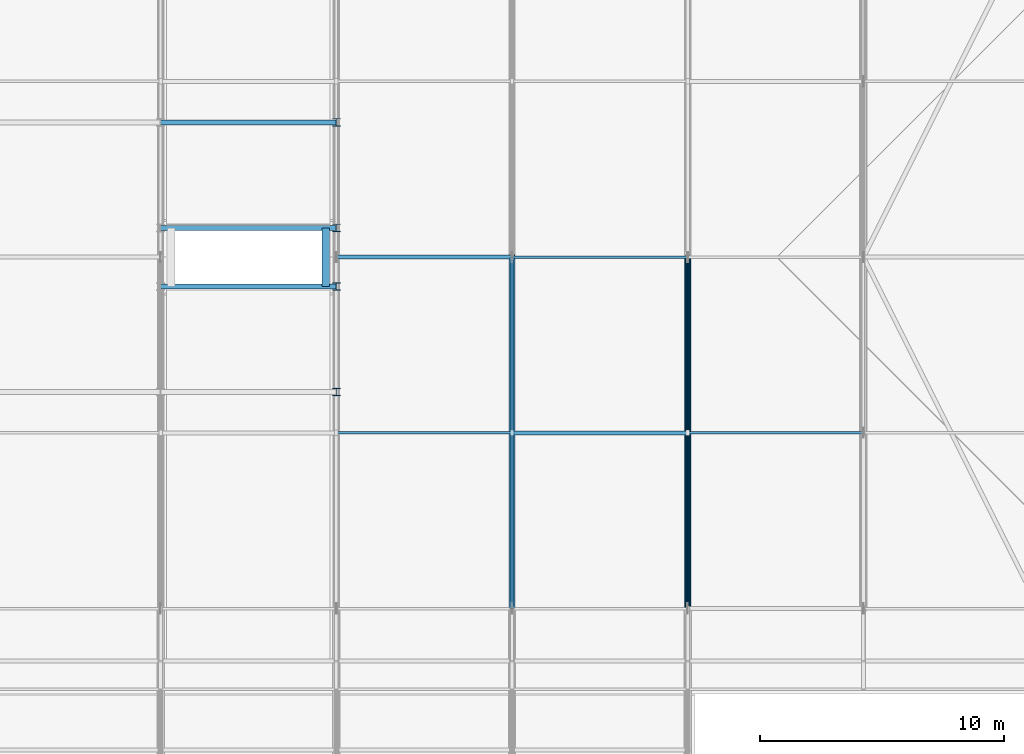
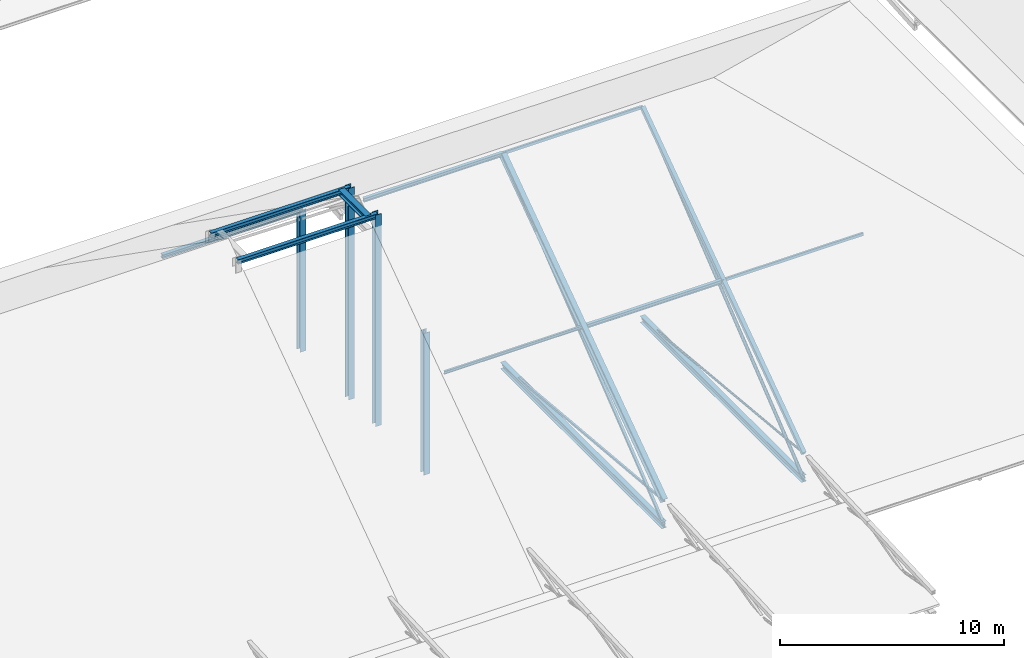
# One storey, part 9 of 100: 18 members, 3 beams.
"""IFC4 building model written with IfcOpenShell, lengths in metres."""

from ifc_helpers import new_model, si_unit, direction, frame, origin, origin_2d, place, context, subcontext, project, spatial, hollow_rectangle, hollow_circle, i_section, extrude, material, material_profile, profile_set, type_object, element, save


model = new_model("IFC4")

# Units and contexts
model_context = context("Model", 3, precision=1e-05, world=origin(), true_north=direction((0.0, 1.0)))
body_context = subcontext(model_context, "Body", "Model", "MODEL_VIEW")
ifc_project = project(units=[si_unit("LENGTHUNIT", "METRE"), si_unit("AREAUNIT", "SQUARE_METRE"), si_unit("VOLUMEUNIT", "CUBIC_METRE"), si_unit("PLANEANGLEUNIT", "RADIAN"), si_unit("MASSUNIT", "GRAM", prefix="KILO")], contexts=[model_context])

# Site, building, storey
site_placement = place(None, origin())
site = spatial("IfcSite", under=ifc_project, at=site_placement, CompositionType="ELEMENT")
building_placement = place(site_placement, origin())
building = spatial("IfcBuilding", under=site, at=building_placement, Name="Steenspoor Specialist Clinic", CompositionType="ELEMENT")
storey_placement = place(building_placement, frame((0.0, 0.0, 9.0)))
storey = spatial("IfcBuildingStorey", under=building, at=storey_placement, Name="L02", CompositionType="ELEMENT", Elevation=9.0)

# Beams
ifc_material_1 = material(Name="Steel A992 Grade 50", Category="steel")
ifc_material_profile_1 = material_profile(ifc_material_1, i_section(OverallWidth=0.2041015625, OverallDepth=0.2060546875, WebThickness=0.0078125, FlangeThickness=0.0126953125, at=origin_2d()), Name="W200X52")
ifc_profile_set_1 = profile_set([ifc_material_profile_1], Name="Steel A992 Grade 50")
beam_type_1 = type_object("IfcBeamType", Name="BM-ST-W200X52", PredefinedType="JOIST", material=ifc_profile_set_1)
beam_placement = place(storey_placement, frame((74.0, 32.97607421875, 7.814208984375), z_axis=(1.0, 0.0, 0.0), x_axis=(0.0, 1.0, 0.0)))
element("IfcBeam", 1, at=beam_placement, inside=storey, type_object=beam_type_1, Name="Roof Sub-Facet Bearer V1 M N", PredefinedType="JOIST", context=body_context, shape_type="SweptSolid", body=[
    extrude(i_section(OverallWidth=0.2041015625, OverallDepth=0.2060546875, WebThickness=0.0078125, FlangeThickness=0.0126953125, at=origin_2d()), origin(), (0.0, 0.0, 1.0), 7.199951171875),
])
ifc_material_profile_2 = material_profile(ifc_material_1, i_section(OverallWidth=0.202880859375, OverallDepth=0.251953125, WebThickness=0.008056640625, FlangeThickness=0.013427734375, at=origin_2d()), Name="W250X58")
ifc_profile_set_2 = profile_set([ifc_material_profile_2], Name="Steel A992 Grade 50")
beam_type_2 = type_object("IfcBeamType", Name="BM-ST-W250X58", PredefinedType="JOIST", material=ifc_profile_set_2)
for number, where, z_axis, x_axis, name in (
    (2, (74.0, 26.25, 11.614013671875), (1.0, 0.0, 0.0), (0.0, 1.0, 0.0), "Roof Curb Trimmer Beam V1 1"),
    (3, (74.0, 28.64990234375, 11.614013671875), (1.0, 0.0, 0.0), (0.0, 1.0, 0.0), "Roof Curb Trimmer Beam V1 2"),
):
    element("IfcBeam", number, at=place(storey_placement, frame(where, z_axis=z_axis, x_axis=x_axis)), inside=storey, type_object=beam_type_2, Name=name, PredefinedType="JOIST", context=body_context, shape_type="SweptSolid", body=[
        extrude(i_section(OverallWidth=0.202880859375, OverallDepth=0.251953125, WebThickness=0.008056640625, FlangeThickness=0.013427734375, at=origin_2d()), origin(), (0.0, 0.0, 1.0), 7.199951171875),
    ])

# Members
ifc_material_2 = material(Name="Steel A500 Grade C", Category="steel")
ifc_material_profile_3 = material_profile(ifc_material_2, hollow_circle(Radius=0.084228515625, WallThickness=0.007080078125, at=origin_2d()), Name="CHS168X7.1")
ifc_profile_set_3 = profile_set([ifc_material_profile_3], Name="Steel A500 Grade C")
member_type_1 = type_object("IfcMemberType", Name="MEM-BRACE-CHS168", PredefinedType="BRACE", material=ifc_profile_set_3)
member_1_placement = place(storey_placement, frame((95.60009765625, 13.050048828125, 0.201416015625), z_axis=(0.0, 0.780678951437, 0.62493229616), x_axis=(-1.0, 0.0, 0.0)))
element("IfcMember", 4, at=member_1_placement, inside=storey, type_object=member_type_1, Name="ROOF TRUSS Web Brace V1 8.1", PredefinedType="BRACE", context=body_context, shape_type="SweptSolid", body=[
    extrude(hollow_circle(Radius=0.084228515625, WallThickness=0.007080078125, at=origin_2d()), origin(), (0.0, 0.0, 1.0), 18.4453125),
])
ifc_material_profile_4 = material_profile(ifc_material_2, hollow_rectangle(XDim=0.126953125, YDim=0.126953125, WallThickness=0.005859375, at=origin_2d()), Name="HSS127X127X6.4")
ifc_profile_set_4 = profile_set([ifc_material_profile_4], Name="Steel A500 Grade C")
member_type_2 = type_object("IfcMemberType", Name="MEM-BRACE-H127B", PredefinedType="BRACE", material=ifc_profile_set_4)
member_2_placement = place(storey_placement, frame((88.39990234375, 13.050048828125, 0.201416015625), z_axis=(0.0, 0.782410368997, 0.622763209001), x_axis=(-1.0, 0.0, 0.0)))
element("IfcMember", 5, at=member_2_placement, inside=storey, type_object=member_type_2, Name="ROOF TRUSS Web Brace V1 7.1", PredefinedType="BRACE", context=body_context, shape_type="SweptSolid", body=[
    extrude(hollow_rectangle(XDim=0.126953125, YDim=0.126953125, WallThickness=0.005859375, at=origin_2d()), origin(), (0.0, 0.0, 1.0), 18.404541015625),
])
ifc_material_profile_5 = material_profile(ifc_material_2, hollow_rectangle(XDim=0.203125, YDim=0.203125, WallThickness=0.01171875, at=origin_2d()), Name="HSS203X203X12.7")
ifc_profile_set_5 = profile_set([ifc_material_profile_5], Name="Steel A500 Grade C")
member_type_3 = type_object("IfcMemberType", Name="MEM-CHORD-H203", PredefinedType="CHORD", material=ifc_profile_set_5)
member_3_placement = place(storey_placement, frame((95.60009765625, 13.050048828125, 1.580078125), z_axis=(0.0, 0.817400862254, 0.576069293042), x_axis=(-1.0, 0.0, 0.0)))
element("IfcMember", 6, at=member_3_placement, inside=storey, type_object=member_type_3, Name="ROOF TRUSS Top Chord V1 8.1", PredefinedType="CHORD", context=body_context, shape_type="SweptSolid", body=[
    extrude(hollow_rectangle(XDim=0.203125, YDim=0.203125, WallThickness=0.01171875, at=origin_2d()), origin(), (0.0, 0.0, 1.0), 17.61669921875),
])
ifc_material_profile_6 = material_profile(ifc_material_1, i_section(OverallWidth=0.304931640625, OverallDepth=0.30810546875, WebThickness=0.010009765625, FlangeThickness=0.015380859375, at=origin_2d()), Name="W310X97")
ifc_profile_set_6 = profile_set([ifc_material_profile_6], Name="Steel A992 Grade 50")
member_type_4 = type_object("IfcMemberType", Name="MEM-CHORD-W310", PredefinedType="CHORD", material=ifc_profile_set_6)
for number, where, z_axis, x_axis, name in (
    (7, (81.199951171875, 26.25, 0.199951171875), (0.0, 0.0, 1.0), (1.0, 0.0, 0.0), "ROOF TRUSS Web Post Curb V1 1R"),
    (8, (81.199951171875, 28.64990234375, 0.199951171875), (0.0, 0.0, 1.0), (1.0, 0.0, 0.0), "ROOF TRUSS Web Post Curb V1 2R"),
):
    element("IfcMember", number, at=place(storey_placement, frame(where, z_axis=z_axis, x_axis=x_axis)), inside=storey, type_object=member_type_4, Name=name, PredefinedType="CHORD", context=body_context, shape_type="SweptSolid", body=[
        extrude(i_section(OverallWidth=0.304931640625, OverallDepth=0.30810546875, WebThickness=0.010009765625, FlangeThickness=0.015380859375, at=origin_2d()), origin(), (0.0, 0.0, 1.0), 11.533935546875),
    ])
member_4_placement = place(storey_placement, frame((80.77001953125, 26.25, 11.5859375), z_axis=(0.0, 1.0, 0.0), x_axis=(-1.0, 0.0, 0.0)))
element("IfcMember", 9, at=member_4_placement, inside=storey, type_object=member_type_4, Name="ROOF TRUSS Curb Cross Chord V1 2", PredefinedType="CHORD", context=body_context, shape_type="SweptSolid", body=[
    extrude(i_section(OverallWidth=0.304931640625, OverallDepth=0.30810546875, WebThickness=0.010009765625, FlangeThickness=0.015380859375, at=origin_2d()), origin(), (0.0, 0.0, 1.0), 2.39990234375),
])
for number, where, z_axis, x_axis, name in (
    (10, (81.199951171875, 21.924072265625, 0.179931640625), (0.0, 0.0, 1.0), (1.0, 0.0, 0.0), "ROOF TRUSS Web Post Sub-Facet V1 MSR"),
    (11, (81.199951171875, 32.97607421875, 0.179931640625), (0.0, 0.0, 1.0), (1.0, 0.0, 0.0), "ROOF TRUSS Web Post Sub-Facet V1 MNR"),
):
    element("IfcMember", number, at=place(storey_placement, frame(where, z_axis=z_axis, x_axis=x_axis)), inside=storey, type_object=member_type_4, Name=name, PredefinedType="CHORD", context=body_context, shape_type="SweptSolid", body=[
        extrude(i_section(OverallWidth=0.304931640625, OverallDepth=0.30810546875, WebThickness=0.010009765625, FlangeThickness=0.015380859375, at=origin_2d()), origin(), (0.0, 0.0, 1.0), 7.734130859375),
    ])
ifc_material_profile_7 = material_profile(ifc_material_1, i_section(OverallWidth=0.257080078125, OverallDepth=0.363037109375, WebThickness=0.012939453125, FlangeThickness=0.021728515625, at=origin_2d()), Name="W360X122")
ifc_profile_set_7 = profile_set([ifc_material_profile_7], Name="Steel A992 Grade 50")
member_type_5 = type_object("IfcMemberType", Name="MEM-CHORD-W360", PredefinedType="CHORD", material=ifc_profile_set_7)
member_5_placement = place(storey_placement, frame((88.39990234375, 13.050048828125, 0.201416015625), z_axis=(0.0, 1.0, 0.0), x_axis=(-1.0, 0.0, 0.0)))
element("IfcMember", 12, at=member_5_placement, inside=storey, type_object=member_type_5, Name="ROOF TRUSS Bottom Chord V1 7.1", PredefinedType="CHORD", context=body_context, shape_type="SweptSolid", body=[
    extrude(i_section(OverallWidth=0.257080078125, OverallDepth=0.363037109375, WebThickness=0.012939453125, FlangeThickness=0.021728515625, at=origin_2d()), origin(), (0.0, 0.0, 1.0), 14.39990234375),
])
member_6_placement = place(storey_placement, frame((88.39990234375, 13.050048828125, 1.514892578125), z_axis=(0.0, 0.817407387929, 0.576060033468), x_axis=(-1.0, 0.0, 0.0)))
element("IfcMember", 13, at=member_6_placement, inside=storey, type_object=member_type_5, Name="ROOF TRUSS Top Chord V1 7.1", PredefinedType="CHORD", context=body_context, shape_type="SweptSolid", body=[
    extrude(i_section(OverallWidth=0.257080078125, OverallDepth=0.363037109375, WebThickness=0.012939453125, FlangeThickness=0.021728515625, at=origin_2d()), origin(), (0.0, 0.0, 1.0), 17.616455078125),
])
member_7_placement = place(storey_placement, frame((95.60009765625, 13.050048828125, 0.201416015625), z_axis=(0.0, 1.0, 0.0), x_axis=(-1.0, 0.0, 0.0)))
element("IfcMember", 14, at=member_7_placement, inside=storey, type_object=member_type_5, Name="ROOF TRUSS Bottom Chord V1 8.1", PredefinedType="CHORD", context=body_context, shape_type="SweptSolid", body=[
    extrude(i_section(OverallWidth=0.257080078125, OverallDepth=0.363037109375, WebThickness=0.012939453125, FlangeThickness=0.021728515625, at=origin_2d()), origin(), (0.0, 0.0, 1.0), 14.39990234375),
])
ifc_material_profile_8 = material_profile(ifc_material_2, hollow_rectangle(XDim=0.1015625, YDim=0.15234375, WallThickness=0.005859375, at=origin_2d()), Name="HSS152X102X6.4")
ifc_profile_set_8 = profile_set([ifc_material_profile_8], Name="Steel A500 Grade C")
member_type_6 = type_object("IfcMemberType", Name="MEM-PURLIN-H152", PredefinedType="PURLIN", material=ifc_profile_set_8)
member_8_placement = place(storey_placement, frame((88.39990234375, 27.449951171875, 11.7353515625), z_axis=(1.0, 0.0, 0.0), x_axis=(0.0, 1.0, 0.0)))
element("IfcMember", 15, at=member_8_placement, inside=storey, type_object=member_type_6, Name="ROOF TRUSS Purlin 69", PredefinedType="PURLIN", context=body_context, shape_type="SweptSolid", body=[
    extrude(hollow_rectangle(XDim=0.1015625, YDim=0.15234375, WallThickness=0.005859375, at=origin_2d()), origin(), (0.0, 0.0, 1.0), 7.2001953125),
])
member_9_placement = place(storey_placement, frame((95.60009765625, 20.25, 6.6611328125), z_axis=(1.0, 0.0, 0.0), x_axis=(0.0, 1.0, 0.0)))
element("IfcMember", 16, at=member_9_placement, inside=storey, type_object=member_type_6, Name="ROOF TRUSS Purlin 73", PredefinedType="PURLIN", context=body_context, shape_type="SweptSolid", body=[
    extrude(hollow_rectangle(XDim=0.1015625, YDim=0.15234375, WallThickness=0.005859375, at=origin_2d()), origin(), (0.0, 0.0, 1.0), 7.199951171875),
])
ifc_material_profile_9 = material_profile(ifc_material_1, i_section(OverallWidth=0.10205078125, OverallDepth=0.159912109375, WebThickness=0.006591796875, FlangeThickness=0.01025390625, at=origin_2d()), Name="W150X24")
ifc_profile_set_9 = profile_set([ifc_material_profile_9], Name="Steel A992 Grade 50")
member_type_7 = type_object("IfcMemberType", Name="MEM-PURLIN-W150", PredefinedType="PURLIN", material=ifc_profile_set_9)
member_10_placement = place(storey_placement, frame((81.199951171875, 20.25, 6.657470703125), z_axis=(1.0, 0.0, 0.0), x_axis=(0.0, 1.0, 0.0)))
element("IfcMember", 17, at=member_10_placement, inside=storey, type_object=member_type_7, Name="ROOF TRUSS Purlin 63", PredefinedType="PURLIN", context=body_context, shape_type="SweptSolid", body=[
    extrude(i_section(OverallWidth=0.10205078125, OverallDepth=0.159912109375, WebThickness=0.006591796875, FlangeThickness=0.01025390625, at=origin_2d()), origin(), (0.0, 0.0, 1.0), 7.199951171875),
])
ifc_material_profile_10 = material_profile(ifc_material_1, i_section(OverallWidth=0.1650390625, OverallDepth=0.200927734375, WebThickness=0.006103515625, FlangeThickness=0.01025390625, at=origin_2d()), Name="W200X36")
ifc_profile_set_10 = profile_set([ifc_material_profile_10], Name="Steel A992 Grade 50")
member_type_8 = type_object("IfcMemberType", Name="MEM-PURLIN-W200", PredefinedType="PURLIN", material=ifc_profile_set_10)
member_11_placement = place(storey_placement, frame((81.199951171875, 27.449951171875, 11.7109375), z_axis=(1.0, 0.0, 0.0), x_axis=(0.0, 1.0, 0.0)))
element("IfcMember", 18, at=member_11_placement, inside=storey, type_object=member_type_8, Name="ROOF TRUSS Purlin 64", PredefinedType="PURLIN", context=body_context, shape_type="SweptSolid", body=[
    extrude(i_section(OverallWidth=0.1650390625, OverallDepth=0.200927734375, WebThickness=0.006103515625, FlangeThickness=0.01025390625, at=origin_2d()), origin(), (0.0, 0.0, 1.0), 7.199951171875),
])
member_12_placement = place(storey_placement, frame((88.39990234375, 20.25, 6.636962890625), z_axis=(1.0, 0.0, 0.0), x_axis=(0.0, 1.0, 0.0)))
element("IfcMember", 19, at=member_12_placement, inside=storey, type_object=member_type_8, Name="ROOF TRUSS Purlin 68", PredefinedType="PURLIN", context=body_context, shape_type="SweptSolid", body=[
    extrude(i_section(OverallWidth=0.1650390625, OverallDepth=0.200927734375, WebThickness=0.006103515625, FlangeThickness=0.01025390625, at=origin_2d()), origin(), (0.0, 0.0, 1.0), 7.2001953125),
])
ifc_material_profile_11 = material_profile(ifc_material_2, hollow_circle(Radius=0.05712890625, WallThickness=0.006103515625, at=origin_2d()), Name="CHS114X6.0")
ifc_profile_set_11 = profile_set([ifc_material_profile_11], Name="Steel A500 Grade C")
member_type_9 = type_object("IfcMemberType", Name="MEM-STRUT-CHS114", PredefinedType="STRUT", material=ifc_profile_set_11)
member_13_placement = place(storey_placement, frame((95.60009765625, 13.050048828125, 1.580078125), z_axis=(0.0, 0.995448092914, -0.095305269077), x_axis=(-1.0, 0.0, 0.0)))
element("IfcMember", 20, at=member_13_placement, inside=storey, type_object=member_type_9, Name="ROOF TRUSS Web Strut V1 8.1", PredefinedType="STRUT", context=body_context, shape_type="SweptSolid", body=[
    extrude(hollow_circle(Radius=0.05712890625, WallThickness=0.006103515625, at=origin_2d()), origin(), (0.0, 0.0, 1.0), 14.4658203125),
])
ifc_material_profile_12 = material_profile(ifc_material_2, hollow_rectangle(XDim=0.1015625, YDim=0.1015625, WallThickness=0.005859375, at=origin_2d()), Name="HSS102X102X6.4")
ifc_profile_set_12 = profile_set([ifc_material_profile_12], Name="Steel A500 Grade C")
member_type_10 = type_object("IfcMemberType", Name="MEM-STRUT-H102", PredefinedType="STRUT", material=ifc_profile_set_12)
member_14_placement = place(storey_placement, frame((88.39990234375, 13.050048828125, 1.514892578125), z_axis=(0.0, 0.995865758574, -0.090837166951), x_axis=(-1.0, 0.0, 0.0)))
element("IfcMember", 21, at=member_14_placement, inside=storey, type_object=member_type_10, Name="ROOF TRUSS Web Strut V1 7.1", PredefinedType="STRUT", context=body_context, shape_type="SweptSolid", body=[
    extrude(hollow_rectangle(XDim=0.1015625, YDim=0.1015625, WallThickness=0.005859375, at=origin_2d()), origin(), (0.0, 0.0, 1.0), 14.459716796875),
])

save(model, "model.ifc")
